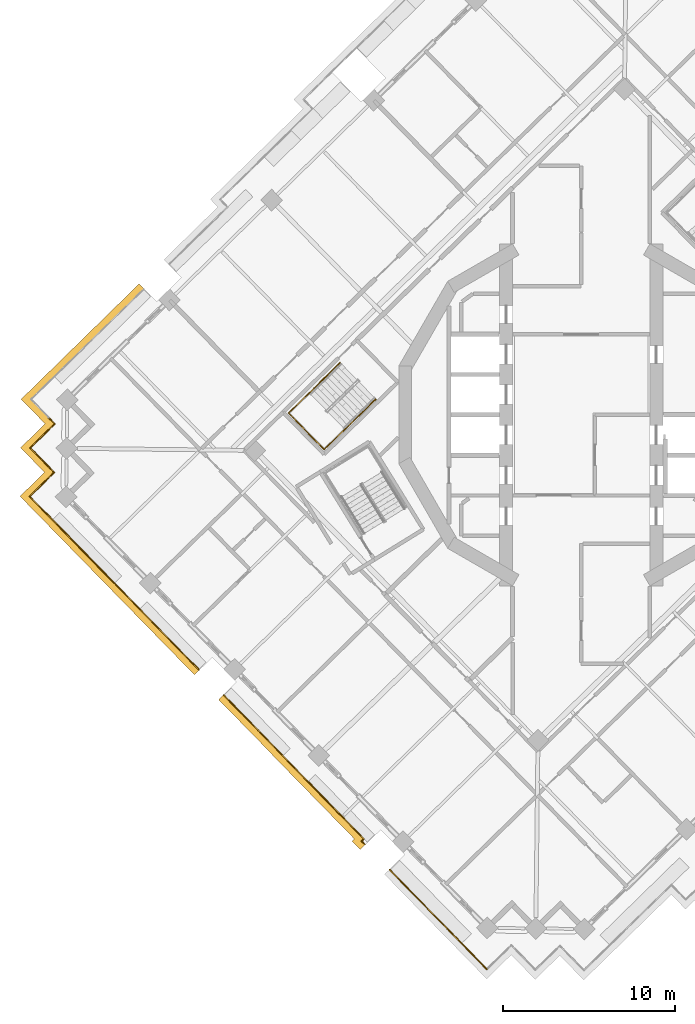
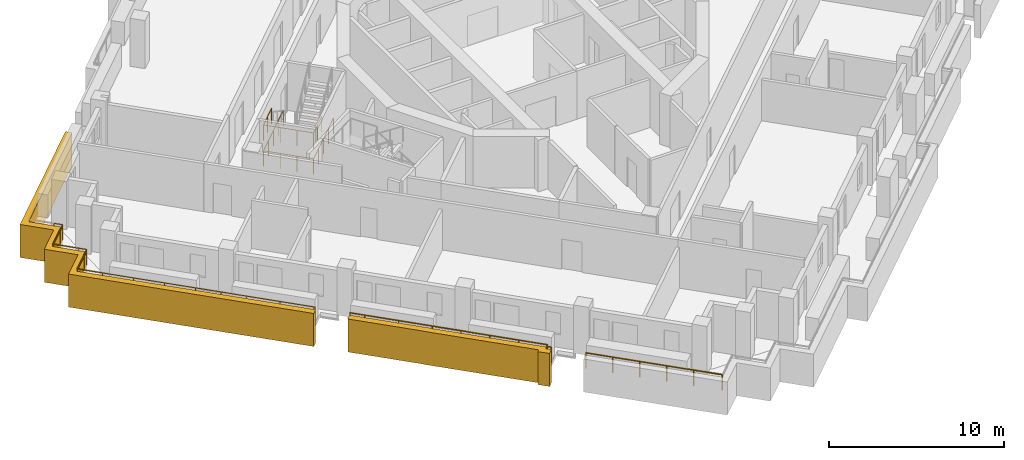
# One storey, part 12 of 17: 5 railings, 2 coverings.
"""IFC4 building model written with IfcOpenShell, lengths in metres."""

from ifc_helpers import new_model, si_unit, direction, frame, origin, origin_2d, place, context, subcontext, project, spatial, polyline, circle, outline, extrude, material, type_object, element, save


model = new_model("IFC4")

# Units and contexts
model_context = context("Model", 3, precision=1e-05, world=origin(), true_north=direction((0.0, 1.0)))
body_context = subcontext(model_context, "Body", "Model", "MODEL_VIEW")
ifc_project = project(units=[si_unit("LENGTHUNIT", "METRE"), si_unit("AREAUNIT", "SQUARE_METRE"), si_unit("VOLUMEUNIT", "CUBIC_METRE"), si_unit("PLANEANGLEUNIT", "RADIAN"), si_unit("MASSUNIT", "GRAM", prefix="KILO")], contexts=[model_context])

# Site, building, storey
site_placement = place(None, origin())
site = spatial("IfcSite", under=ifc_project, at=site_placement, CompositionType="ELEMENT")
building_placement = place(site_placement, origin())
building = spatial("IfcBuilding", under=site, at=building_placement, Name="Cantera Rosa Tower", CompositionType="ELEMENT")
storey_placement = place(building_placement, frame((0.0, 0.0, 227.0)))
storey = spatial("IfcBuildingStorey", under=building, at=storey_placement, Name="L49", CompositionType="ELEMENT", Elevation=227.0)

# Railings
ifc_material_1 = material(Name="Stainless steel and laminated glass", Category="steel")
railing_type_1 = type_object("IfcRailingType", Name="GUARD 1100", PredefinedType="BALUSTRADE", material=ifc_material_1)
railing_1_placement = place(storey_placement, frame((-12.595703125, -25.028076171875, 0.0)))
element("IfcRailing", 1, at=railing_1_placement, inside=storey, type_object=railing_type_1, Name="GUARD L49-1", PredefinedType="BALUSTRADE", context=body_context, shape_type="SweptSolid", body=[
    extrude(circle(Radius=0.030029296875, at=origin_2d()), frame((0.0, 0.0, 1.070068359375), z_axis=(-0.698922436913, 0.715197474254, 0.0), x_axis=(-0.715197474254, -0.698922436913, 0.0)), (0.0, 0.0, 1.0), 0.27001953125),
    extrude(circle(Radius=0.030029296875, at=origin_2d()), frame((-0.188720703125, 0.193115234375, 1.070068359375), z_axis=(0.715589832222, 0.698520716958, 0.0), x_axis=(-0.698520716958, 0.715589832222, 0.0)), (0.0, 0.0, 1.0), 0.18603515625),
    extrude(circle(Radius=0.030029296875, at=origin_2d()), frame((-0.0556640625, 0.322998046875, 1.070068359375), z_axis=(-0.698824551526, 0.715293119067, 0.0), x_axis=(-0.715293119067, -0.698824551526, 0.0)), (0.0, 0.0, 1.0), 6.834228515625),
    extrude(circle(Radius=0.030029296875, at=origin_2d()), frame((-4.83154296875, 5.21142578125, 1.070068359375), z_axis=(0.715781948377, 0.698323852075, 0.0), x_axis=(-0.698323852075, 0.715781948377, 0.0)), (0.0, 0.0, 1.0), 0.013916015625),
    extrude(circle(Radius=0.030029296875, at=origin_2d()), frame((-4.821533203125, 5.22119140625, 1.070068359375), z_axis=(-0.698862096229, 0.715256436849, 0.0), x_axis=(-0.715256436849, -0.698862096229, 0.0)), (0.0, 0.0, 1.0), 4.005859375),
    extrude(circle(Radius=0.030029296875, at=origin_2d()), frame((-7.62109375, 8.08642578125, 1.070068359375), z_axis=(-0.698779602308, 0.715337030636, 0.0), x_axis=(-0.715337030636, -0.698779602308, 0.0)), (0.0, 0.0, 1.0), 0.869873046875),
    extrude(circle(Radius=0.02490234375, at=origin_2d()), origin(), (0.0, 0.0, 1.0), 1.0400390625),
    extrude(circle(Radius=0.02490234375, at=origin_2d()), frame((-0.188720703125, 0.193115234375, 0.0)), (0.0, 0.0, 1.0), 1.0400390625),
    extrude(circle(Radius=0.02490234375, at=origin_2d()), frame((-0.0556640625, 0.322998046875, 0.0)), (0.0, 0.0, 1.0), 1.0400390625),
    extrude(circle(Radius=0.02490234375, at=origin_2d()), frame((-1.24951171875, 1.545166015625, 0.0)), (0.0, 0.0, 1.0), 1.0400390625),
    extrude(circle(Radius=0.02490234375, at=origin_2d()), frame((-2.443603515625, 2.76708984375, 0.0)), (0.0, 0.0, 1.0), 1.0400390625),
    extrude(circle(Radius=0.02490234375, at=origin_2d()), frame((-3.6376953125, 3.9892578125, 0.0)), (0.0, 0.0, 1.0), 1.0400390625),
    extrude(circle(Radius=0.02490234375, at=origin_2d()), frame((-4.83154296875, 5.21142578125, 0.0)), (0.0, 0.0, 1.0), 1.0400390625),
    extrude(circle(Radius=0.02490234375, at=origin_2d()), frame((-4.821533203125, 5.22119140625, 0.0)), (0.0, 0.0, 1.0), 1.0400390625),
    extrude(circle(Radius=0.02490234375, at=origin_2d()), frame((-6.22119140625, 6.65380859375, 0.0)), (0.0, 0.0, 1.0), 1.0400390625),
    extrude(circle(Radius=0.02490234375, at=origin_2d()), frame((-7.62109375, 8.08642578125, 0.0)), (0.0, 0.0, 1.0), 1.0400390625),
    extrude(circle(Radius=0.02490234375, at=origin_2d()), frame((-8.22900390625, 8.708740234375, 0.0)), (0.0, 0.0, 1.0), 1.0400390625),
])
railing_2_placement = place(storey_placement, frame((-22.26416015625, -14.845703125, 0.0)))
element("IfcRailing", 2, at=railing_2_placement, inside=storey, type_object=railing_type_1, Name="GUARD L49-3", PredefinedType="BALUSTRADE", context=body_context, shape_type="SweptSolid", body=[
    extrude(circle(Radius=0.030029296875, at=origin_2d()), frame((0.0, 0.0, 1.070068359375), z_axis=(-0.700106234421, 0.714038696798, 0.0), x_axis=(-0.714038696798, -0.700106234421, 0.0)), (0.0, 0.0, 1.0), 0.070068359375),
    extrude(circle(Radius=0.030029296875, at=origin_2d()), frame((-0.049072265625, 0.050048828125, 1.070068359375), z_axis=(-0.698829866575, 0.715287926351, 0.0), x_axis=(-0.715287926351, -0.698829866575, 0.0)), (0.0, 0.0, 1.0), 4.02001953125),
    extrude(circle(Radius=0.030029296875, at=origin_2d()), frame((-2.8583984375, 2.925537109375, 1.070068359375), z_axis=(-0.698839281014, 0.715278728407, 0.0), x_axis=(-0.715278728407, -0.698839281014, 0.0)), (0.0, 0.0, 1.0), 3.0),
    extrude(circle(Radius=0.030029296875, at=origin_2d()), frame((-4.954833984375, 5.0712890625, 1.070068359375), z_axis=(-0.698810055914, 0.715307280652, 0.0), x_axis=(-0.715307280652, -0.698810055914, 0.0)), (0.0, 0.0, 1.0), 5.52001953125),
    extrude(circle(Radius=0.030029296875, at=origin_2d()), frame((-8.812255859375, 9.019775390625, 1.070068359375), z_axis=(-0.698921594874, 0.71519829713, 0.0), x_axis=(-0.71519829713, -0.698921594874, 0.0)), (0.0, 0.0, 1.0), 1.5),
    extrude(circle(Radius=0.030029296875, at=origin_2d()), frame((-9.860595703125, 10.092529296875, 1.070068359375), z_axis=(0.715277793538, 0.698840237873, 0.0), x_axis=(-0.698840237873, 0.715277793538, 0.0)), (0.0, 0.0, 1.0), 1.5),
    extrude(circle(Radius=0.030029296875, at=origin_2d()), frame((-8.78759765625, 11.140869140625, 1.070068359375), z_axis=(0.715359149995, 0.698756958118, 0.0), x_axis=(-0.698756958118, 0.715359149995, 0.0)), (0.0, 0.0, 1.0), 0.5),
    extrude(circle(Radius=0.030029296875, at=origin_2d()), frame((-8.429931640625, 11.490234375, 1.070068359375), z_axis=(-0.699006712162, 0.715115107065, 0.0), x_axis=(-0.715115107065, -0.699006712162, 0.0)), (0.0, 0.0, 1.0), 0.500244140625),
    extrude(circle(Radius=0.030029296875, at=origin_2d()), frame((-8.779541015625, 11.847900390625, 1.070068359375), z_axis=(-0.698756958118, 0.715359149995, 0.0), x_axis=(-0.715359149995, -0.698756958118, 0.0)), (0.0, 0.0, 1.0), 1.5),
    extrude(circle(Radius=0.030029296875, at=origin_2d()), frame((-9.82763671875, 12.9208984375, 1.070068359375), z_axis=(0.71519829713, 0.698921594874, 0.0), x_axis=(-0.698921594874, 0.71519829713, 0.0)), (0.0, 0.0, 1.0), 1.5),
    extrude(circle(Radius=0.030029296875, at=origin_2d()), frame((-8.7548828125, 13.96923828125, 1.070068359375), z_axis=(0.715359149995, 0.698756958118, 0.0), x_axis=(-0.698756958118, 0.715359149995, 0.0)), (0.0, 0.0, 1.0), 0.5),
    extrude(circle(Radius=0.030029296875, at=origin_2d()), frame((-8.397216796875, 14.318603515625, 1.070068359375), z_axis=(-0.698756958118, 0.715359149995, 0.0), x_axis=(-0.715359149995, -0.698756958118, 0.0)), (0.0, 0.0, 1.0), 0.5),
    extrude(circle(Radius=0.02490234375, at=origin_2d()), origin(), (0.0, 0.0, 1.0), 1.0400390625),
    extrude(circle(Radius=0.02490234375, at=origin_2d()), frame((-0.049072265625, 0.050048828125, 0.0)), (0.0, 0.0, 1.0), 1.0400390625),
    extrude(circle(Radius=0.02490234375, at=origin_2d()), frame((-1.45361328125, 1.48779296875, 0.0)), (0.0, 0.0, 1.0), 1.0400390625),
    extrude(circle(Radius=0.02490234375, at=origin_2d()), frame((-2.8583984375, 2.925537109375, 0.0)), (0.0, 0.0, 1.0), 1.0400390625),
    extrude(circle(Radius=0.02490234375, at=origin_2d()), frame((-3.90673828125, 3.99853515625, 0.0)), (0.0, 0.0, 1.0), 1.0400390625),
    extrude(circle(Radius=0.02490234375, at=origin_2d()), frame((-4.954833984375, 5.0712890625, 0.0)), (0.0, 0.0, 1.0), 1.0400390625),
    extrude(circle(Radius=0.02490234375, at=origin_2d()), frame((-6.24072265625, 6.387451171875, 0.0)), (0.0, 0.0, 1.0), 1.0400390625),
    extrude(circle(Radius=0.02490234375, at=origin_2d()), frame((-7.5263671875, 7.70361328125, 0.0)), (0.0, 0.0, 1.0), 1.0400390625),
    extrude(circle(Radius=0.02490234375, at=origin_2d()), frame((-8.812255859375, 9.019775390625, 0.0)), (0.0, 0.0, 1.0), 1.0400390625),
    extrude(circle(Radius=0.02490234375, at=origin_2d()), frame((-9.860595703125, 10.092529296875, 0.0)), (0.0, 0.0, 1.0), 1.0400390625),
    extrude(circle(Radius=0.02490234375, at=origin_2d()), frame((-8.78759765625, 11.140869140625, 0.0)), (0.0, 0.0, 1.0), 1.0400390625),
    extrude(circle(Radius=0.02490234375, at=origin_2d()), frame((-8.429931640625, 11.490234375, 0.0)), (0.0, 0.0, 1.0), 1.0400390625),
    extrude(circle(Radius=0.02490234375, at=origin_2d()), frame((-8.779541015625, 11.847900390625, 0.0)), (0.0, 0.0, 1.0), 1.0400390625),
    extrude(circle(Radius=0.02490234375, at=origin_2d()), frame((-9.82763671875, 12.9208984375, 0.0)), (0.0, 0.0, 1.0), 1.0400390625),
    extrude(circle(Radius=0.02490234375, at=origin_2d()), frame((-8.7548828125, 13.96923828125, 0.0)), (0.0, 0.0, 1.0), 1.0400390625),
    extrude(circle(Radius=0.02490234375, at=origin_2d()), frame((-8.397216796875, 14.318603515625, 0.0)), (0.0, 0.0, 1.0), 1.0400390625),
    extrude(circle(Radius=0.02490234375, at=origin_2d()), frame((-8.74658203125, 14.67626953125, 0.0)), (0.0, 0.0, 1.0), 1.0400390625),
])
railing_3_placement = place(storey_placement, frame((-5.502685546875, -32.288330078125, 0.0)))
element("IfcRailing", 3, at=railing_3_placement, inside=storey, type_object=railing_type_1, Name="GUARD L49-5", PredefinedType="BALUSTRADE", context=body_context, shape_type="SweptSolid", body=[
    extrude(circle(Radius=0.030029296875, at=origin_2d()), frame((0.0, 0.0, 1.070068359375), z_axis=(-0.69880105094, 0.715316077832, 0.0), x_axis=(-0.715316077832, -0.69880105094, 0.0)), (0.0, 0.0, 1.0), 1.699951171875),
    extrude(circle(Radius=0.030029296875, at=origin_2d()), frame((-1.18798828125, 1.216064453125, 1.070068359375), z_axis=(-0.698825008445, 0.715292672668, 0.0), x_axis=(-0.715292672668, -0.698825008445, 0.0)), (0.0, 0.0, 1.0), 6.389892578125),
    extrude(circle(Radius=0.02490234375, at=origin_2d()), origin(), (0.0, 0.0, 1.0), 1.0400390625),
    extrude(circle(Radius=0.02490234375, at=origin_2d()), frame((-1.18798828125, 1.216064453125, 0.0)), (0.0, 0.0, 1.0), 1.0400390625),
    extrude(circle(Radius=0.02490234375, at=origin_2d()), frame((-2.30419921875, 2.358642578125, 0.0)), (0.0, 0.0, 1.0), 1.0400390625),
    extrude(circle(Radius=0.02490234375, at=origin_2d()), frame((-3.420654296875, 3.50146484375, 0.0)), (0.0, 0.0, 1.0), 1.0400390625),
    extrude(circle(Radius=0.02490234375, at=origin_2d()), frame((-4.537109375, 4.64404296875, 0.0)), (0.0, 0.0, 1.0), 1.0400390625),
    extrude(circle(Radius=0.02490234375, at=origin_2d()), frame((-5.6533203125, 5.78662109375, 0.0)), (0.0, 0.0, 1.0), 1.0400390625),
])
ifc_material_2 = material(Name="Steel S355J2 (EN 10025-2)", Category="steel")
railing_type_2 = type_object("IfcRailingType", Name="STAIR GUARD 1100", PredefinedType="GUARDRAIL", material=ifc_material_2)
railing_4_placement = place(storey_placement, frame((-14.044921875, 3.0322265625, 0.0)))
element("IfcRailing", 4, at=railing_4_placement, inside=storey, type_object=railing_type_2, Name="L49 ST-43 stair guard 4", PredefinedType="GUARDRAIL", context=body_context, shape_type="SweptSolid", body=[
    extrude(circle(Radius=0.02392578125, at=origin_2d()), frame((0.0, 0.0, 1.076171875), z_axis=(-0.715259213566, -0.698859254364, 0.0), x_axis=(0.698859254364, -0.715259213566, 0.0)), (0.0, 0.0, 1.0), 4.197998046875),
    extrude(circle(Radius=0.02392578125, at=origin_2d()), frame((-3.002685546875, -2.933837890625, 1.076171875), z_axis=(0.698838333505, -0.715279654138, 0.0), x_axis=(0.715279654138, 0.698838333505, 0.0)), (0.0, 0.0, 1.0), 2.9697265625),
    extrude(circle(Radius=0.02392578125, at=origin_2d()), frame((-0.92724609375, -5.05810546875, 1.076171875), z_axis=(0.715288284249, 0.698829500247, 0.0), x_axis=(-0.698829500247, 0.715288284249, 0.0)), (0.0, 0.0, 1.0), 4.19775390625),
    extrude(circle(Radius=0.02099609375, at=origin_2d()), origin(), (0.0, 0.0, 1.0), 1.052001953125),
    extrude(circle(Radius=0.02099609375, at=origin_2d()), frame((-0.750732421875, -0.7333984375, 0.0)), (0.0, 0.0, 1.0), 1.052001953125),
    extrude(circle(Radius=0.02099609375, at=origin_2d()), frame((-1.50146484375, -1.466796875, 0.0)), (0.0, 0.0, 1.0), 1.052001953125),
    extrude(circle(Radius=0.02099609375, at=origin_2d()), frame((-2.251953125, -2.200439453125, 0.0)), (0.0, 0.0, 1.0), 1.052001953125),
    extrude(circle(Radius=0.02099609375, at=origin_2d()), frame((-3.002685546875, -2.933837890625, 0.0)), (0.0, 0.0, 1.0), 1.052001953125),
    extrude(circle(Radius=0.02099609375, at=origin_2d()), frame((-2.310791015625, -3.641845703125, 0.0)), (0.0, 0.0, 1.0), 1.052001953125),
    extrude(circle(Radius=0.02099609375, at=origin_2d()), frame((-1.619140625, -4.35009765625, 0.0)), (0.0, 0.0, 1.0), 1.052001953125),
    extrude(circle(Radius=0.02099609375, at=origin_2d()), frame((-0.92724609375, -5.05810546875, 0.0)), (0.0, 0.0, 1.0), 1.052001953125),
    extrude(circle(Radius=0.02099609375, at=origin_2d()), frame((-0.176513671875, -4.32470703125, 0.0)), (0.0, 0.0, 1.0), 1.052001953125),
    extrude(circle(Radius=0.02099609375, at=origin_2d()), frame((0.57421875, -3.59130859375, 0.0)), (0.0, 0.0, 1.0), 1.052001953125),
    extrude(circle(Radius=0.02099609375, at=origin_2d()), frame((1.32470703125, -2.85791015625, 0.0)), (0.0, 0.0, 1.0), 1.052001953125),
    extrude(circle(Radius=0.02099609375, at=origin_2d()), frame((2.075439453125, -2.12451171875, 0.0)), (0.0, 0.0, 1.0), 1.052001953125),
])
railing_5_placement = place(storey_placement, frame((-15.830322265625, 1.287841796875, 1.800048828125)))
element("IfcRailing", 5, at=railing_5_placement, inside=storey, type_object=railing_type_2, Name="L49 ST-43 stair guard 5", PredefinedType="GUARDRAIL", context=body_context, shape_type="SweptSolid", body=[
    extrude(circle(Radius=0.02392578125, at=origin_2d()), frame((0.0, 0.0, 1.076171875), z_axis=(-0.715236090757, -0.698882919007, 0.0), x_axis=(0.698882919007, -0.715236090757, 0.0)), (0.0, 0.0, 1.0), 1.701904296875),
    extrude(circle(Radius=0.02392578125, at=origin_2d()), frame((-1.21728515625, -1.189453125, 1.076171875), z_axis=(0.698838333505, -0.715279654138, 0.0), x_axis=(0.715279654138, 0.698838333505, 0.0)), (0.0, 0.0, 1.0), 2.9697265625),
    extrude(circle(Radius=0.02392578125, at=origin_2d()), frame((0.858154296875, -3.313720703125, 1.076171875), z_axis=(0.715236090757, 0.698882919007, 0.0), x_axis=(-0.698882919007, 0.715236090757, 0.0)), (0.0, 0.0, 1.0), 1.701904296875),
    extrude(circle(Radius=0.02099609375, at=origin_2d()), origin(), (0.0, 0.0, 1.0), 1.052001953125),
    extrude(circle(Radius=0.02099609375, at=origin_2d()), frame((-0.608642578125, -0.5947265625, 0.0)), (0.0, 0.0, 1.0), 1.052001953125),
    extrude(circle(Radius=0.02099609375, at=origin_2d()), frame((-1.21728515625, -1.189453125, 0.0)), (0.0, 0.0, 1.0), 1.052001953125),
    extrude(circle(Radius=0.02099609375, at=origin_2d()), frame((-0.525390625, -1.8974609375, 0.0)), (0.0, 0.0, 1.0), 1.052001953125),
    extrude(circle(Radius=0.02099609375, at=origin_2d()), frame((0.166259765625, -2.605712890625, 0.0)), (0.0, 0.0, 1.0), 1.052001953125),
    extrude(circle(Radius=0.02099609375, at=origin_2d()), frame((0.858154296875, -3.313720703125, 0.0)), (0.0, 0.0, 1.0), 1.052001953125),
    extrude(circle(Radius=0.02099609375, at=origin_2d()), frame((1.466796875, -2.718994140625, 0.0)), (0.0, 0.0, 1.0), 1.052001953125),
    extrude(circle(Radius=0.02099609375, at=origin_2d()), frame((2.075439453125, -2.124267578125, 0.0)), (0.0, 0.0, 1.0), 1.052001953125),
])

# Coverings
ifc_material_3 = material(Name="Cantera stone", Category="masonry")
covering_type = type_object("IfcCoveringType", Name="TRAY FASCIA 400", PredefinedType="CLADDING", material=ifc_material_3)
covering_1_placement = place(storey_placement, frame((0.0, 0.0, -1.39990234375)))
element("IfcCovering", 6, at=covering_1_placement, inside=storey, type_object=covering_type, Name="TRAY FASCIA L49-01", PredefinedType="CLADDING", context=body_context, shape_type="SweptSolid", body=[
    extrude(outline(polyline([(-22.599365234375, -15.0751953125), (-25.40869140625, -12.19970703125), (-27.505126953125, -10.053955078125), (-31.362548828125, -6.10546875), (-32.6904296875, -4.74658203125), (-31.331298828125, -3.418701171875), (-31.259765625, -3.348876953125), (-31.329833984375, -3.27734375), (-32.657470703125, -1.918212890625), (-31.298583984375, -0.590576171875), (-31.22705078125, -0.5205078125), (-32.62451171875, 0.909912109375), (-31.265625, 2.23779296875), (-26.39208984375, 7.00390625), (-25.753173828125, 7.628173828125), (-25.4736328125, 7.342041015625), (-26.112548828125, 6.7177734375), (-26.1103515625, 6.71533203125), (-30.986083984375, 1.95166015625), (-32.058837890625, 0.9033203125), (-31.0107421875, -0.16943359375), (-30.661376953125, -0.527099609375), (-31.01904296875, -0.87646484375), (-32.091796875, -1.9248046875), (-31.043701171875, -2.997802734375), (-30.694091796875, -3.35546875), (-31.0517578125, -3.704833984375), (-32.124755859375, -4.753173828125), (-31.076416015625, -5.825927734375), (-27.218994140625, -9.7744140625), (-25.12255859375, -11.920166015625), (-22.313232421875, -14.795654296875), (-22.250244140625, -14.860107421875), (-22.536376953125, -15.1396484375), (-22.599365234375, -15.0751953125)])), origin(), (0.0, 0.0, 1.0), 2.2998046875),
])
covering_2_placement = place(storey_placement, frame((0.0, 0.0, -1.39990234375)))
element("IfcCovering", 7, at=covering_2_placement, inside=storey, type_object=covering_type, Name="TRAY FASCIA L49-02", PredefinedType="CLADDING", context=body_context, shape_type="SweptSolid", body=[
    extrude(outline(polyline([(-21.124755859375, -16.58447265625), (-20.838623046875, -16.304931640625), (-20.216796875, -16.941650390625), (-17.417236328125, -19.806884765625), (-17.42724609375, -19.816650390625), (-12.6513671875, -24.705078125), (-12.784423828125, -24.8349609375), (-12.581787109375, -25.04248046875), (-12.867919921875, -25.322021484375), (-13.35009765625, -24.828369140625), (-13.217041015625, -24.698486328125), (-17.992919921875, -19.810302734375), (-17.98291015625, -19.80029296875), (-20.502685546875, -17.22119140625), (-21.124755859375, -16.58447265625)])), origin(), (0.0, 0.0, 1.0), 2.2998046875),
])

save(model, "model.ifc")
